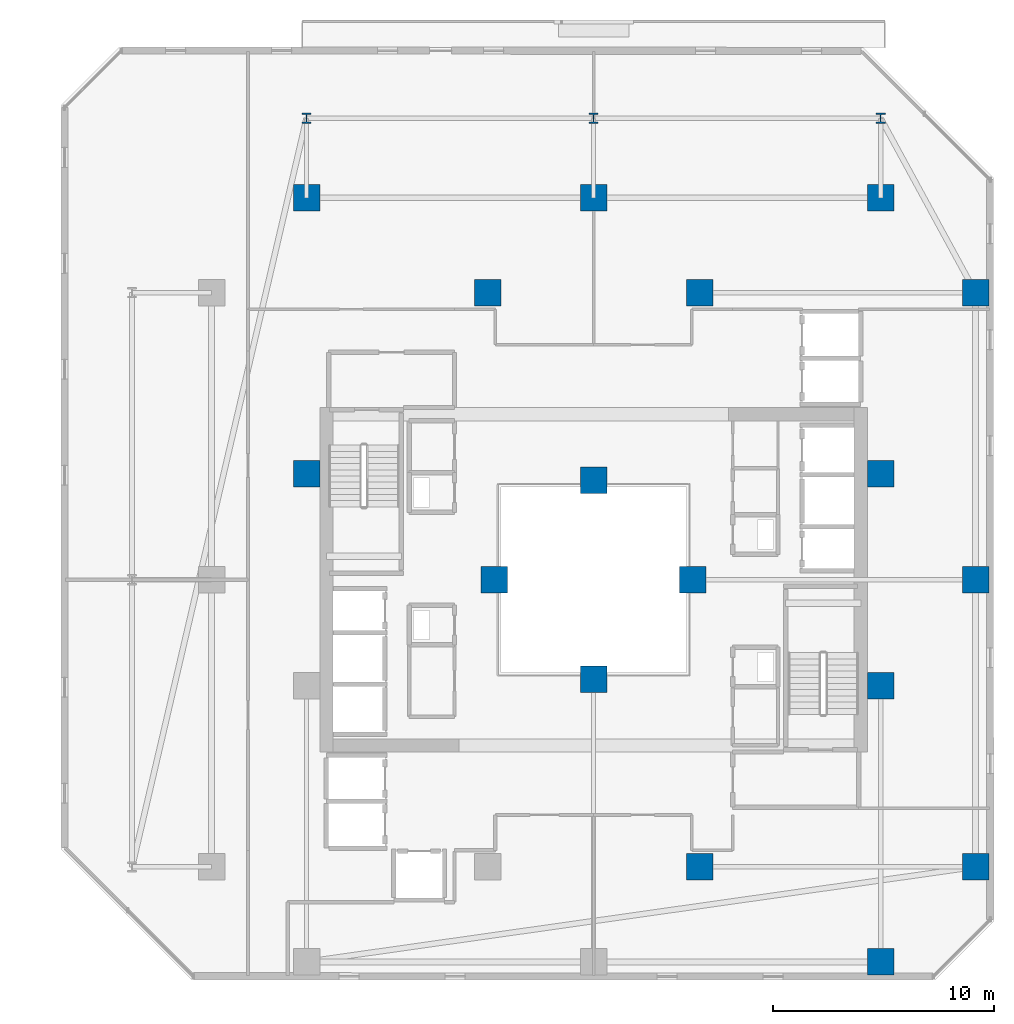
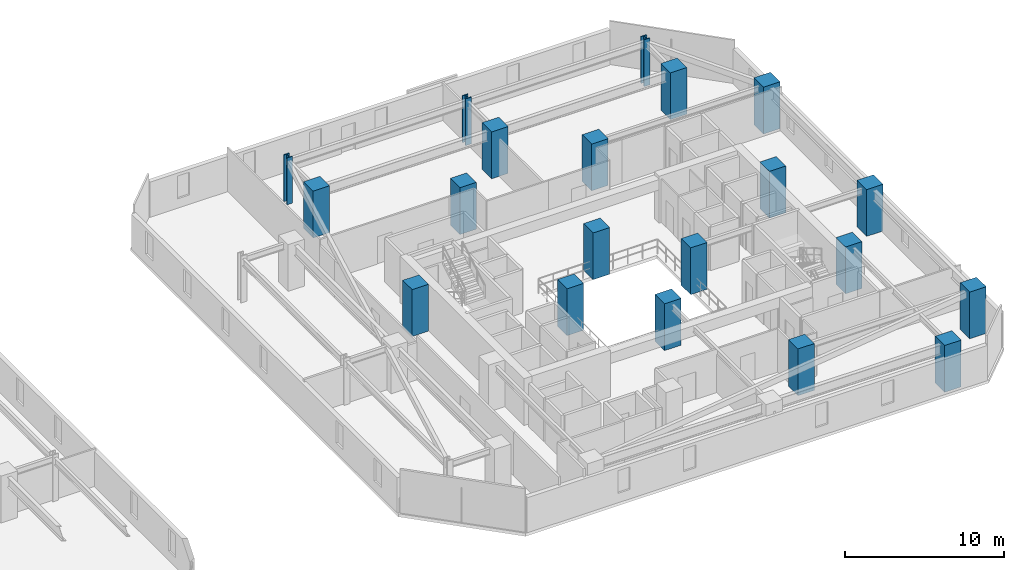
# One storey, part 2 of 30: 20 columns.
"""IFC4 building model written with IfcOpenShell, lengths in metres."""

import ifcopenshell
import ifcopenshell.guid

model = None  # the IFC model being written
_history = None  # IfcOwnerHistory: only IFC2X3 demands one
_inside = {}  # id of a spatial element -> (the spatial element, [elements in it])
_under = {}  # id of a project, library or spatial element -> (it, [spatial elements below it])
_declared = {}  # id of a project -> (the project, [libraries it declares])
_typed = {}  # id of a type object -> (the type object, [elements of that type])
_made_of = {}  # id of a material, layer set ... -> (it, [elements and type objects made of it])


def new_model(schema):
    """Start an empty IFC model of exactly this schema.

    Asked for "IFC4X3", IfcOpenShell would pick the latest addendum, in which some entities
    have other attributes; the version numbers below select the first issue.
    IFC2X3 requires an IfcOwnerHistory on every rooted entity: one is made here for all.
    """
    global model, _history
    if schema == "IFC4X3":
        model = ifcopenshell.file(schema_version=(4, 3, 0, 0))
    else:
        model = ifcopenshell.file(schema=schema)
    _inside.clear()
    _under.clear()
    _declared.clear()
    _typed.clear()
    _made_of.clear()
    _history = None
    if model.schema == "IFC2X3":
        org = make("IfcOrganization", Name="unknown")
        user = make(
            "IfcPersonAndOrganization",
            ThePerson=make("IfcPerson", FamilyName="unknown"),
            TheOrganization=org,
        )
        app = make(
            "IfcApplication",
            ApplicationDeveloper=org,
            Version="unknown",
            ApplicationFullName="unknown",
            ApplicationIdentifier="unknown",
        )
        _history = make(
            "IfcOwnerHistory",
            OwningUser=user,
            OwningApplication=app,
            ChangeAction="ADDED",
            CreationDate=0,
        )
    return model


def make(cls, **values):
    """One entity of the class cls with the attributes given. An attribute that is None is left unset."""
    return model.create_entity(
        cls, **{name: value for name, value in values.items() if value is not None}
    )


def rooted(cls, **values):
    """An entity with a GlobalId (a new one), such as an element, a storey or a relation."""
    return make(cls, GlobalId=ifcopenshell.guid.new(), OwnerHistory=_history, **values)


def si_unit(unit_type, name, prefix=None):
    """IfcSIUnit, for example si_unit("LENGTHUNIT", "METRE", prefix="MILLI")."""
    return make("IfcSIUnit", UnitType=unit_type, Prefix=prefix, Name=name)


def assignment(units):
    """IfcUnitAssignment: the units of a project."""
    return None if units is None else make("IfcUnitAssignment", Units=units)


def point(xyz):
    """IfcCartesianPoint."""
    return None if xyz is None else make("IfcCartesianPoint", Coordinates=xyz)


def direction(xyz):
    """IfcDirection."""
    return None if xyz is None else make("IfcDirection", DirectionRatios=xyz)


def frame(location, z_axis=None, x_axis=None):
    """IfcAxis2Placement3D, a coordinate frame: its origin and axes. An axis left out is left unset."""
    return make(
        "IfcAxis2Placement3D",
        Location=point(location),
        Axis=direction(z_axis),
        RefDirection=direction(x_axis),
    )


def frame_2d(location, x_axis=None):
    """IfcAxis2Placement2D, a coordinate frame in the plane: its origin and x axis."""
    return make(
        "IfcAxis2Placement2D", Location=point(location), RefDirection=direction(x_axis)
    )


def origin():
    """The frame at (0, 0, 0) with its axes left unset."""
    return frame((0.0, 0.0, 0.0))


def origin_2d():
    """The frame at (0, 0) in the plane with its x axis left unset."""
    return frame_2d((0.0, 0.0))


def place(relative_to, where):
    """IfcLocalPlacement: puts the frame where relative to a parent placement (None: the world)."""
    return make(
        "IfcLocalPlacement", PlacementRelTo=relative_to, RelativePlacement=where
    )


def context(
    kind, dimensions, precision=None, world=None, true_north=None, identifier=None
):
    """IfcGeometricRepresentationContext, for example the 3D "Model" context."""
    return make(
        "IfcGeometricRepresentationContext",
        ContextIdentifier=identifier,
        ContextType=kind,
        CoordinateSpaceDimension=dimensions,
        Precision=precision,
        WorldCoordinateSystem=world,
        TrueNorth=true_north,
    )


def subcontext(parent, identifier, kind, view, scale=None):
    """IfcGeometricRepresentationSubContext, for example "Body" below "Model"."""
    return make(
        "IfcGeometricRepresentationSubContext",
        ContextIdentifier=identifier,
        ContextType=kind,
        ParentContext=parent,
        TargetScale=scale,
        TargetView=view,
    )


def project(units=None, contexts=None):
    """IfcProject with its units and contexts."""
    return rooted(
        "IfcProject",
        Name="project",
        RepresentationContexts=contexts,
        UnitsInContext=assignment(units),
    )


def spatial(cls, under=None, at=None, **own):
    """A site, building, storey or space (cls), placed at a placement, below another one or the project."""
    s = rooted(cls, ObjectPlacement=at, **own)
    if under is not None:
        _under.setdefault(under.id(), (under, []))[1].append(s)
    return s


def profile(cls, at=None, kind="AREA", **sizes):
    """A parametric profile (cls). Its sizes go by their IFC names, for example OverallWidth=200.0."""
    return make(cls, ProfileType=kind, Position=at, **sizes)


def rectangle(**sizes):
    """IfcRectangleProfileDef."""
    return profile("IfcRectangleProfileDef", **sizes)


def i_section(**sizes):
    """IfcIShapeProfileDef."""
    return profile("IfcIShapeProfileDef", **sizes)


def extrude(swept, where, along, depth):
    """IfcExtrudedAreaSolid: the profile swept, set in the frame where, extruded along a direction by depth."""
    return make(
        "IfcExtrudedAreaSolid",
        SweptArea=swept,
        Position=where,
        ExtrudedDirection=direction(along),
        Depth=depth,
    )


def shape(context_of_items, identifier, shape_type, items):
    """IfcShapeRepresentation: the items that make up one representation, for example the "Body"."""
    return make(
        "IfcShapeRepresentation",
        ContextOfItems=context_of_items,
        RepresentationIdentifier=identifier,
        RepresentationType=shape_type,
        Items=items,
    )


def material(Name=None, Category=None):
    """IfcMaterial."""
    return make("IfcMaterial", Name=Name, Category=Category)


def material_profile(
    of_material, cross_section, Name=None, Category=None, Priority=None
):
    """IfcMaterialProfile: a cross section and its material."""
    return make(
        "IfcMaterialProfile",
        Name=Name,
        Material=of_material,
        Profile=cross_section,
        Priority=Priority,
        Category=Category,
    )


def profile_set(profiles, Name=None, composite=None):
    """IfcMaterialProfileSet."""
    return make(
        "IfcMaterialProfileSet",
        Name=Name,
        MaterialProfiles=profiles,
        CompositeProfile=composite,
    )


def made_of(thing, what):
    """Note that an element or type object is made of a material, layer set ...; save() writes the relation."""
    if what is not None:
        _made_of.setdefault(what.id(), (what, []))[1].append(thing)
    return thing


def type_object(cls, material=None, **own):
    """A type object (cls), such as IfcWallType, which elements share."""
    return made_of(rooted(cls, **own), material)


def element(
    cls,
    number,
    at=None,
    inside=None,
    cuts=None,
    type_object=None,
    material=None,
    context=None,
    identifier="Body",
    shape_type=None,
    held_by="IfcProductDefinitionShape",
    body=None,
    shapes=None,
    **own,
):
    """One element of the class cls, such as IfcWall. Its Tag is "e" and its number.

    at: its placement. inside: the storey or other place that contains it. cuts: it is an
    opening in that element (IfcRelVoidsElement). A single representation is given by context,
    identifier, shape_type and body (its items); several are given by shapes. held_by: the class
    of the entity that holds the representations. save() writes the other relations.
    """
    e = rooted(cls, Tag="e%d" % number, ObjectPlacement=at, **own)
    if body is not None:
        shapes = [shape(context, identifier, shape_type, body)]
    if shapes is not None:
        e.Representation = make(held_by, Representations=shapes)
    if inside is not None:
        _inside.setdefault(inside.id(), (inside, []))[1].append(e)
    if cuts is not None:
        rooted(
            "IfcRelVoidsElement", RelatingBuildingElement=cuts, RelatedOpeningElement=e
        )
    if type_object is not None:
        _typed.setdefault(type_object.id(), (type_object, []))[1].append(e)
    return made_of(e, material)


def aggregate(whole, parts):
    """IfcRelAggregates: a whole, such as a stair, and the parts it consists of."""
    return rooted("IfcRelAggregates", RelatingObject=whole, RelatedObjects=parts)


def save(model, path):
    """Write the relations noted so far, then the file.

    IfcRelAggregates (storeys below a building ...), IfcRelContainedInSpatialStructure (elements
    in a storey), IfcRelDefinesByType, IfcRelAssociatesMaterial and IfcRelDeclares: one each for
    every whole, place, type object, material and project.
    """
    for whole, parts in _under.values():
        aggregate(whole, parts)
    for where, things in _inside.values():
        rooted(
            "IfcRelContainedInSpatialStructure",
            RelatedElements=things,
            RelatingStructure=where,
        )
    for kind, things in _typed.values():
        rooted("IfcRelDefinesByType", RelatedObjects=things, RelatingType=kind)
    for what, things in _made_of.values():
        rooted("IfcRelAssociatesMaterial", RelatedObjects=things, RelatingMaterial=what)
    for by, libraries in _declared.values():
        rooted("IfcRelDeclares", RelatingContext=by, RelatedDefinitions=libraries)
    model.write(path)


model = new_model("IFC4")

# Units and contexts
model_context = context("Model", 3, precision=1e-05, world=origin(), true_north=direction((0.0, 1.0)))
body_context = subcontext(model_context, "Body", "Model", "MODEL_VIEW")
ifc_project = project(units=[si_unit("LENGTHUNIT", "METRE"), si_unit("AREAUNIT", "SQUARE_METRE"), si_unit("VOLUMEUNIT", "CUBIC_METRE"), si_unit("PLANEANGLEUNIT", "RADIAN"), si_unit("MASSUNIT", "GRAM", prefix="KILO")], contexts=[model_context])

# Site, building, storey
site_placement = place(None, origin())
site = spatial("IfcSite", under=ifc_project, at=site_placement, CompositionType="ELEMENT")
building_placement = place(site_placement, origin())
building = spatial("IfcBuilding", under=site, at=building_placement, Name="Thornwick Lancets Civic Towers", CompositionType="ELEMENT")
storey_placement = place(building_placement, frame((0.0, 0.0, 80.10009765625)))
storey = spatial("IfcBuildingStorey", under=building, at=storey_placement, Name="L20", CompositionType="ELEMENT", Elevation=80.10009765625)

# Columns
ifc_material_1 = material(Name="Concrete C60/75", Category="concrete")
ifc_material_profile_1 = material_profile(ifc_material_1, rectangle(XDim=1.199951171875, YDim=1.199951171875, at=origin_2d()), Name="RC 1200x1200")
ifc_profile_set_1 = profile_set([ifc_material_profile_1], Name="Concrete C60/75")
column_type_1 = type_object("IfcColumnType", Name="COL_RC_1200", PredefinedType="COLUMN", material=ifc_profile_set_1)
for number, where, z_axis, x_axis, name in (
    (1, (105.800048828125, 14.0, 0.0), (0.0, 0.0, 1.0), (1.0, 0.0, 0.0), "L20 Spine Mega-Column B01"),
    (2, (105.800048828125, 27.0, 0.0), (0.0, 0.0, 1.0), (1.0, 0.0, 0.0), "L20 Spine Mega-Column B02"),
    (3, (105.800048828125, 40.0, 0.0), (0.0, 0.0, 1.0), (1.0, 0.0, 0.0), "L20 Spine Mega-Column B03"),
    (4, (101.5, 44.300048828125, 0.0), (0.0, 0.0, 1.0), (1.0, 0.0, 0.0), "L20 Spine Mega-Column B04"),
    (5, (88.5, 44.300048828125, 0.0), (0.0, 0.0, 1.0), (1.0, 0.0, 0.0), "L20 Spine Mega-Column B05"),
    (6, (75.5, 44.300048828125, 0.0), (0.0, 0.0, 1.0), (1.0, 0.0, 0.0), "L20 Spine Mega-Column B06"),
    (7, (101.5, 9.699951171875, 0.0), (0.0, 0.0, 1.0), (1.0, 0.0, 0.0), "L20 Spine Mega-Column B10"),
    (8, (93.300048828125, 14.0, 0.0), (0.0, 0.0, 1.0), (1.0, 0.0, 0.0), "L20 Spine Mega-Column B13"),
    (9, (93.300048828125, 40.0, 0.0), (0.0, 0.0, 1.0), (1.0, 0.0, 0.0), "L20 Spine Mega-Column B14"),
    (10, (83.699951171875, 40.0, 0.0), (0.0, 0.0, 1.0), (1.0, 0.0, 0.0), "L20 Spine Mega-Column B16"),
    (11, (101.5, 22.199951171875, 0.0), (0.0, 0.0, 1.0), (1.0, 0.0, 0.0), "L20 Spine Mega-Column B17"),
    (12, (101.5, 31.800048828125, 0.0), (0.0, 0.0, 1.0), (1.0, 0.0, 0.0), "L20 Spine Mega-Column B18"),
    (13, (75.5, 31.800048828125, 0.0), (0.0, 0.0, 1.0), (1.0, 0.0, 0.0), "L20 Spine Mega-Column B20"),
    (14, (93.0, 27.0, 0.0), (0.0, 0.0, 1.0), (1.0, 0.0, 0.0), "L20 Spine Mega-Column B21"),
    (15, (84.0, 27.0, 0.0), (0.0, 0.0, 1.0), (1.0, 0.0, 0.0), "L20 Spine Mega-Column B22"),
    (16, (88.5, 22.5, 0.0), (0.0, 0.0, 1.0), (1.0, 0.0, 0.0), "L20 Spine Mega-Column B23"),
    (17, (88.5, 31.5, 0.0), (0.0, 0.0, 1.0), (1.0, 0.0, 0.0), "L20 Spine Mega-Column B24"),
):
    element("IfcColumn", number, at=place(storey_placement, frame(where, z_axis=z_axis, x_axis=x_axis)), inside=storey, type_object=column_type_1, Name=name, PredefinedType="COLUMN", context=body_context, shape_type="SweptSolid", body=[
        extrude(rectangle(XDim=1.199951171875, YDim=1.199951171875, at=origin_2d()), origin(), (0.0, 0.0, 1.0), 3.599853515625),
    ])
ifc_material_2 = material(Name="Steel S460M", Category="steel")
ifc_material_profile_2 = material_profile(ifc_material_2, i_section(OverallWidth=0.41845703125, OverallDepth=0.45556640625, WebThickness=0.0419921875, FlangeThickness=0.0673828125, FilletRadius=0.01513671875, at=origin_2d()), Name="UKC 356x406x551")
ifc_profile_set_2 = profile_set([ifc_material_profile_2], Name="Steel S460M")
column_type_2 = type_object("IfcColumnType", Name="COL_UKC_551", PredefinedType="COLUMN", material=ifc_profile_set_2)
for number, where, z_axis, x_axis, name in (
    (18, (101.5, 47.89990234375, 0.0), (0.0, 0.0, 1.0), (1.0, 0.0, 0.0), "L20 Block Perimeter Column B04"),
    (19, (88.5, 47.89990234375, 0.0), (0.0, 0.0, 1.0), (1.0, 0.0, 0.0), "L20 Block Perimeter Column B05"),
    (20, (75.5, 47.89990234375, 0.0), (0.0, 0.0, 1.0), (1.0, 0.0, 0.0), "L20 Block Perimeter Column B06"),
):
    element("IfcColumn", number, at=place(storey_placement, frame(where, z_axis=z_axis, x_axis=x_axis)), inside=storey, type_object=column_type_2, Name=name, PredefinedType="COLUMN", context=body_context, shape_type="SweptSolid", body=[
        extrude(i_section(OverallWidth=0.41845703125, OverallDepth=0.45556640625, WebThickness=0.0419921875, FlangeThickness=0.0673828125, FilletRadius=0.01513671875, at=origin_2d()), origin(), (0.0, 0.0, 1.0), 3.599853515625),
    ])

save(model, "model.ifc")
